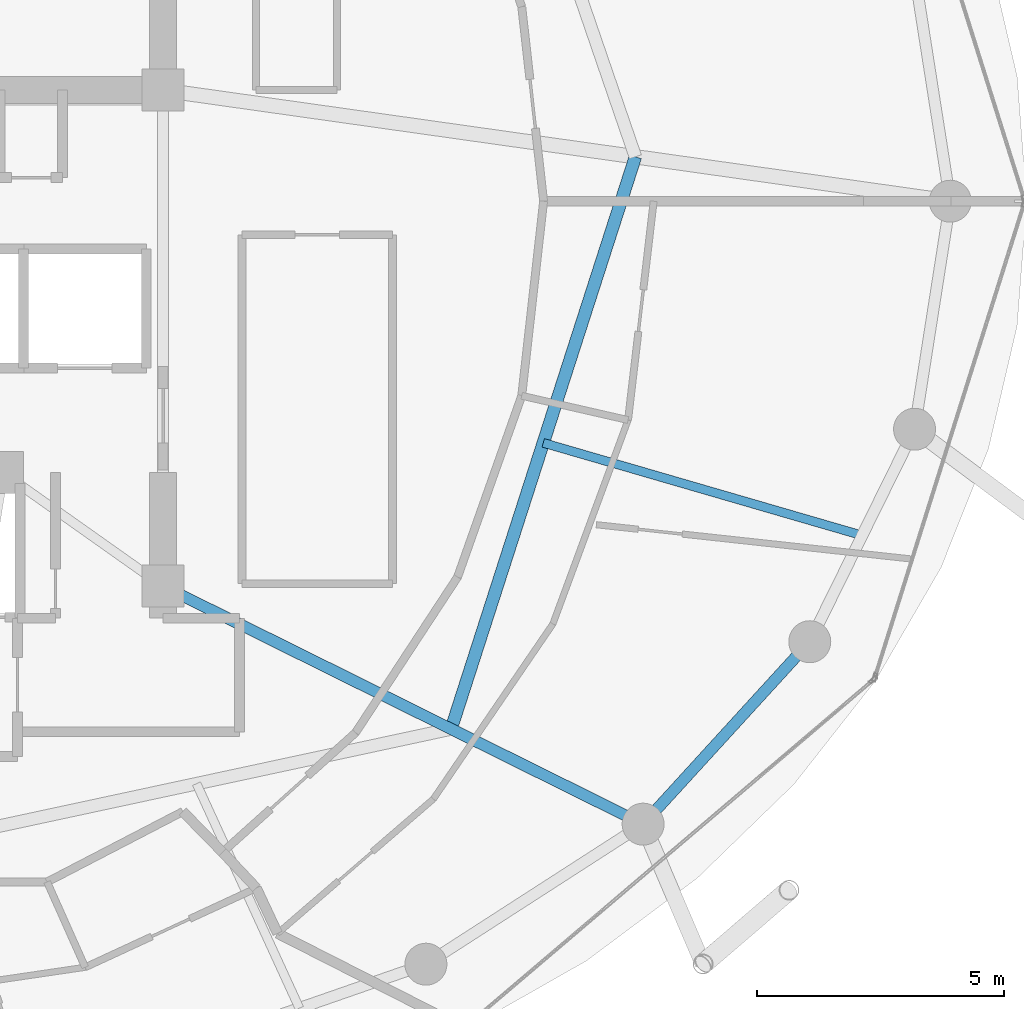
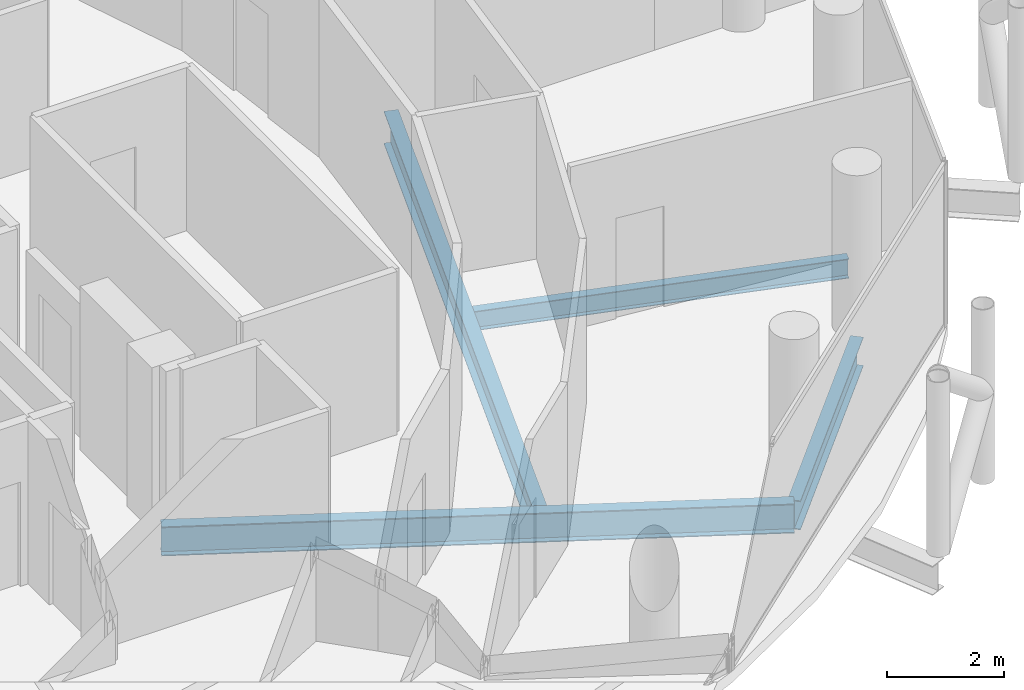
# One storey, part 12 of 28: 4 beams.
"""IFC4 building model written with IfcOpenShell, lengths in metres."""

from ifc_helpers import new_model, si_unit, direction, frame, origin, origin_2d, place, context, subcontext, project, spatial, i_section, extrude, material, material_profile, profile_set, type_object, element, save


model = new_model("IFC4")

# Units and contexts
model_context = context("Model", 3, precision=1e-05, world=origin(), true_north=direction((0.0, 1.0)))
body_context = subcontext(model_context, "Body", "Model", "MODEL_VIEW")
ifc_project = project(units=[si_unit("LENGTHUNIT", "METRE"), si_unit("AREAUNIT", "SQUARE_METRE"), si_unit("VOLUMEUNIT", "CUBIC_METRE"), si_unit("PLANEANGLEUNIT", "RADIAN"), si_unit("MASSUNIT", "GRAM", prefix="KILO")], contexts=[model_context])

# Site, building, storey
site_placement = place(None, origin())
site = spatial("IfcSite", under=ifc_project, at=site_placement, CompositionType="ELEMENT")
building_placement = place(site_placement, origin())
building = spatial("IfcBuilding", under=site, at=building_placement, Name="Nuhasar Tower", CompositionType="ELEMENT")
storey_placement = place(building_placement, frame((0.0, 0.0, 222.75)))
storey = spatial("IfcBuildingStorey", under=building, at=storey_placement, Name="L54", CompositionType="ELEMENT", Elevation=222.75)

# Beams
ifc_material = material(Name="Steel S355", Category="steel")
ifc_material_profile_1 = material_profile(ifc_material, i_section(OverallWidth=0.25390625, OverallDepth=0.68408203125, WebThickness=0.012451171875, FlangeThickness=0.018798828125, at=origin_2d()), Name="W27X94")
ifc_profile_set_1 = profile_set([ifc_material_profile_1], Name="Steel S355")
beam_type_1 = type_object("IfcBeamType", Name="BM-INRING-W27X94", PredefinedType="BEAM", material=ifc_profile_set_1)
beam_1_placement = place(storey_placement, frame((50.135986328125, 16.10693359375, -0.58203125), z_axis=(0.306589852134, 0.951841721385, 0.0), x_axis=(-0.951841721385, 0.306589852134, 0.0)))
element("IfcBeam", 1, at=beam_1_placement, inside=storey, type_object=beam_type_1, Name="L54 Inner Header Beam 03", PredefinedType="BEAM", context=body_context, shape_type="SweptSolid", body=[
    extrude(i_section(OverallWidth=0.25390625, OverallDepth=0.68408203125, WebThickness=0.012451171875, FlangeThickness=0.018798828125, at=origin_2d()), origin(), (0.0, 0.0, 1.0), 12.179443359375),
])
ifc_material_profile_2 = material_profile(ifc_material, i_section(OverallWidth=0.177978515625, OverallDepth=0.406005859375, WebThickness=0.0078125, FlangeThickness=0.0126953125, at=origin_2d()), Name="W16X40")
ifc_profile_set_2 = profile_set([ifc_material_profile_2], Name="Steel S355")
beam_type_2 = type_object("IfcBeamType", Name="BM-JST-W16X40", PredefinedType="JOIST", material=ifc_profile_set_2)
beam_2_placement = place(storey_placement, frame((52.0029296875, 21.904052734375, -0.443115234375), z_axis=(0.960312689798, -0.27892568511, 0.0), x_axis=(0.27892568511, 0.960312689798, 0.0)))
element("IfcBeam", 2, at=beam_2_placement, inside=storey, type_object=beam_type_2, Name="L54 Secondary Floor Joist 03", PredefinedType="JOIST", context=body_context, shape_type="SweptSolid", body=[
    extrude(i_section(OverallWidth=0.177978515625, OverallDepth=0.406005859375, WebThickness=0.0078125, FlangeThickness=0.0126953125, at=origin_2d()), origin(), (0.0, 0.0, 1.0), 6.729248046875),
])
ifc_material_profile_3 = material_profile(ifc_material, i_section(OverallWidth=0.22900390625, OverallDepth=0.612060546875, WebThickness=0.011962890625, FlangeThickness=0.01953125, at=origin_2d()), Name="W24X84")
ifc_profile_set_3 = profile_set([ifc_material_profile_3], Name="Steel S355")
beam_type_3 = type_object("IfcBeamType", Name="BM-RAD-W24X84", PredefinedType="BEAM", material=ifc_profile_set_3)
beam_3_placement = place(storey_placement, frame((44.300048828125, 19.0, -0.5458984375), z_axis=(0.895928935233, -0.444197414459, 0.0), x_axis=(0.444197414459, 0.895928935233, 0.0)))
element("IfcBeam", 3, at=beam_3_placement, inside=storey, type_object=beam_type_3, Name="L54 Radial Floor Girder 03", PredefinedType="BEAM", context=body_context, shape_type="SweptSolid", body=[
    extrude(i_section(OverallWidth=0.22900390625, OverallDepth=0.612060546875, WebThickness=0.011962890625, FlangeThickness=0.01953125, at=origin_2d()), origin(), (0.0, 0.0, 1.0), 10.85546875),
])
ifc_material_profile_4 = material_profile(ifc_material, i_section(OverallWidth=0.22802734375, OverallDepth=0.60791015625, WebThickness=0.01123046875, FlangeThickness=0.017333984375, at=origin_2d()), Name="W24X76")
ifc_profile_set_4 = profile_set([ifc_material_profile_4], Name="Steel S355")
beam_type_4 = type_object("IfcBeamType", Name="BM-RING-W24X76", PredefinedType="SPANDREL", material=ifc_profile_set_4)
beam_4_placement = place(storey_placement, frame((54.02587890625, 14.177978515625, -0.5439453125), z_axis=(0.674449692975, 0.738320805373, 0.0), x_axis=(-0.738320805373, 0.674449692975, 0.0)))
element("IfcBeam", 4, at=beam_4_placement, inside=storey, type_object=beam_type_4, Name="L54 Perimeter Ring Spandrel 22", PredefinedType="SPANDREL", context=body_context, shape_type="SweptSolid", body=[
    extrude(i_section(OverallWidth=0.22802734375, OverallDepth=0.60791015625, WebThickness=0.01123046875, FlangeThickness=0.017333984375, at=origin_2d()), origin(), (0.0, 0.0, 1.0), 5.00732421875),
])

save(model, "model.ifc")
